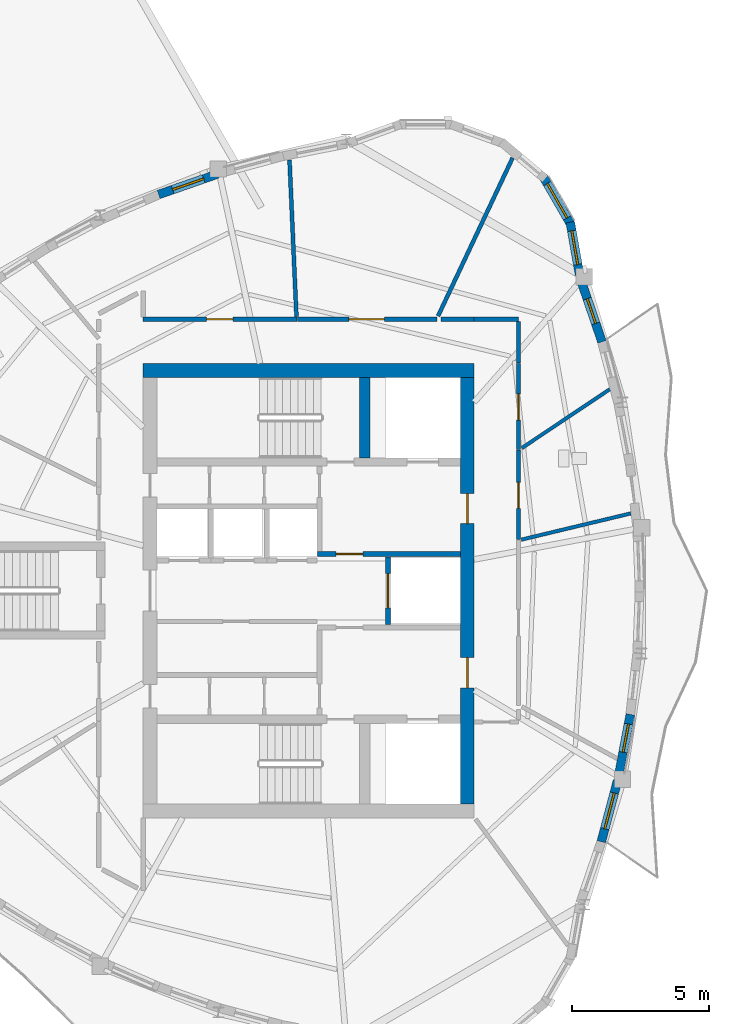
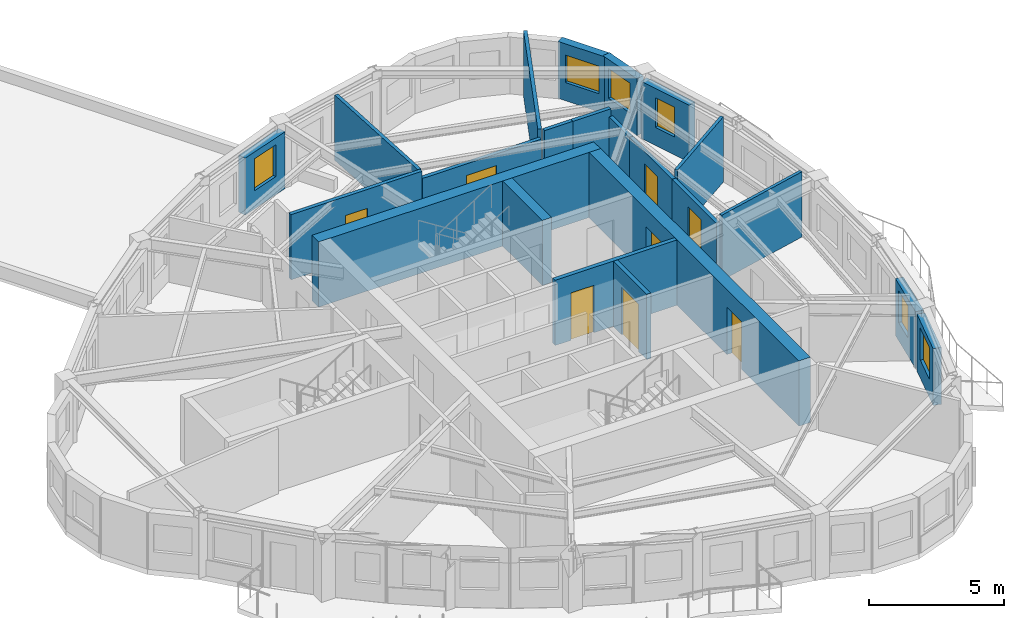
# One storey, part 6 of 11: 22 walls, 8 doors, 6 windows, 14 openings.
"""IFC4 building model written with IfcOpenShell, lengths in metres."""

import ifcopenshell
import ifcopenshell.guid

model = None  # the IFC model being written
_history = None  # IfcOwnerHistory: only IFC2X3 demands one
_inside = {}  # id of a spatial element -> (the spatial element, [elements in it])
_under = {}  # id of a project, library or spatial element -> (it, [spatial elements below it])
_declared = {}  # id of a project -> (the project, [libraries it declares])
_typed = {}  # id of a type object -> (the type object, [elements of that type])
_made_of = {}  # id of a material, layer set ... -> (it, [elements and type objects made of it])


def new_model(schema):
    """Start an empty IFC model of exactly this schema.

    Asked for "IFC4X3", IfcOpenShell would pick the latest addendum, in which some entities
    have other attributes; the version numbers below select the first issue.
    IFC2X3 requires an IfcOwnerHistory on every rooted entity: one is made here for all.
    """
    global model, _history
    if schema == "IFC4X3":
        model = ifcopenshell.file(schema_version=(4, 3, 0, 0))
    else:
        model = ifcopenshell.file(schema=schema)
    _inside.clear()
    _under.clear()
    _declared.clear()
    _typed.clear()
    _made_of.clear()
    _history = None
    if model.schema == "IFC2X3":
        org = make("IfcOrganization", Name="unknown")
        user = make(
            "IfcPersonAndOrganization",
            ThePerson=make("IfcPerson", FamilyName="unknown"),
            TheOrganization=org,
        )
        app = make(
            "IfcApplication",
            ApplicationDeveloper=org,
            Version="unknown",
            ApplicationFullName="unknown",
            ApplicationIdentifier="unknown",
        )
        _history = make(
            "IfcOwnerHistory",
            OwningUser=user,
            OwningApplication=app,
            ChangeAction="ADDED",
            CreationDate=0,
        )
    return model


def make(cls, **values):
    """One entity of the class cls with the attributes given. An attribute that is None is left unset."""
    return model.create_entity(
        cls, **{name: value for name, value in values.items() if value is not None}
    )


def rooted(cls, **values):
    """An entity with a GlobalId (a new one), such as an element, a storey or a relation."""
    return make(cls, GlobalId=ifcopenshell.guid.new(), OwnerHistory=_history, **values)


def si_unit(unit_type, name, prefix=None):
    """IfcSIUnit, for example si_unit("LENGTHUNIT", "METRE", prefix="MILLI")."""
    return make("IfcSIUnit", UnitType=unit_type, Prefix=prefix, Name=name)


def assignment(units):
    """IfcUnitAssignment: the units of a project."""
    return None if units is None else make("IfcUnitAssignment", Units=units)


def point(xyz):
    """IfcCartesianPoint."""
    return None if xyz is None else make("IfcCartesianPoint", Coordinates=xyz)


def direction(xyz):
    """IfcDirection."""
    return None if xyz is None else make("IfcDirection", DirectionRatios=xyz)


def frame(location, z_axis=None, x_axis=None):
    """IfcAxis2Placement3D, a coordinate frame: its origin and axes. An axis left out is left unset."""
    return make(
        "IfcAxis2Placement3D",
        Location=point(location),
        Axis=direction(z_axis),
        RefDirection=direction(x_axis),
    )


def frame_2d(location, x_axis=None):
    """IfcAxis2Placement2D, a coordinate frame in the plane: its origin and x axis."""
    return make(
        "IfcAxis2Placement2D", Location=point(location), RefDirection=direction(x_axis)
    )


def origin():
    """The frame at (0, 0, 0) with its axes left unset."""
    return frame((0.0, 0.0, 0.0))


def place(relative_to, where):
    """IfcLocalPlacement: puts the frame where relative to a parent placement (None: the world)."""
    return make(
        "IfcLocalPlacement", PlacementRelTo=relative_to, RelativePlacement=where
    )


def context(
    kind, dimensions, precision=None, world=None, true_north=None, identifier=None
):
    """IfcGeometricRepresentationContext, for example the 3D "Model" context."""
    return make(
        "IfcGeometricRepresentationContext",
        ContextIdentifier=identifier,
        ContextType=kind,
        CoordinateSpaceDimension=dimensions,
        Precision=precision,
        WorldCoordinateSystem=world,
        TrueNorth=true_north,
    )


def subcontext(parent, identifier, kind, view, scale=None):
    """IfcGeometricRepresentationSubContext, for example "Body" below "Model"."""
    return make(
        "IfcGeometricRepresentationSubContext",
        ContextIdentifier=identifier,
        ContextType=kind,
        ParentContext=parent,
        TargetScale=scale,
        TargetView=view,
    )


def project(units=None, contexts=None):
    """IfcProject with its units and contexts."""
    return rooted(
        "IfcProject",
        Name="project",
        RepresentationContexts=contexts,
        UnitsInContext=assignment(units),
    )


def spatial(cls, under=None, at=None, **own):
    """A site, building, storey or space (cls), placed at a placement, below another one or the project."""
    s = rooted(cls, ObjectPlacement=at, **own)
    if under is not None:
        _under.setdefault(under.id(), (under, []))[1].append(s)
    return s


def profile(cls, at=None, kind="AREA", **sizes):
    """A parametric profile (cls). Its sizes go by their IFC names, for example OverallWidth=200.0."""
    return make(cls, ProfileType=kind, Position=at, **sizes)


def rectangle(**sizes):
    """IfcRectangleProfileDef."""
    return profile("IfcRectangleProfileDef", **sizes)


def extrude(swept, where, along, depth):
    """IfcExtrudedAreaSolid: the profile swept, set in the frame where, extruded along a direction by depth."""
    return make(
        "IfcExtrudedAreaSolid",
        SweptArea=swept,
        Position=where,
        ExtrudedDirection=direction(along),
        Depth=depth,
    )


def shape(context_of_items, identifier, shape_type, items):
    """IfcShapeRepresentation: the items that make up one representation, for example the "Body"."""
    return make(
        "IfcShapeRepresentation",
        ContextOfItems=context_of_items,
        RepresentationIdentifier=identifier,
        RepresentationType=shape_type,
        Items=items,
    )


def source(mapping_origin, context_of_items, identifier, shape_type, items):
    """IfcRepresentationMap: a shape defined once, which mapped items show again and again."""
    return make(
        "IfcRepresentationMap",
        MappingOrigin=mapping_origin,
        MappedRepresentation=shape(context_of_items, identifier, shape_type, items),
    )


def transform(
    local_origin,
    x_axis=None,
    y_axis=None,
    z_axis=None,
    scale=None,
    scale2=None,
    scale3=None,
    uniform=True,
):
    """IfcCartesianTransformationOperator3D, or its non-uniform kind. x_axis, y_axis, z_axis: its Axis1, 2, 3."""
    if uniform:
        return make(
            "IfcCartesianTransformationOperator3D",
            Axis1=direction(x_axis),
            Axis2=direction(y_axis),
            LocalOrigin=point(local_origin),
            Scale=scale,
            Axis3=direction(z_axis),
        )
    return make(
        "IfcCartesianTransformationOperator3DnonUniform",
        Axis1=direction(x_axis),
        Axis2=direction(y_axis),
        LocalOrigin=point(local_origin),
        Scale=scale,
        Axis3=direction(z_axis),
        Scale2=scale2,
        Scale3=scale3,
    )


def mapped(mapping_source, mapping_target):
    """IfcMappedItem: shows the shape of a source again, moved by a transform."""
    return make(
        "IfcMappedItem", MappingSource=mapping_source, MappingTarget=mapping_target
    )


def material(Name=None, Category=None):
    """IfcMaterial."""
    return make("IfcMaterial", Name=Name, Category=Category)


def layer(
    of_material, thickness, ventilated=None, Name=None, Category=None, Priority=None
):
    """IfcMaterialLayer: one layer of a wall or slab, of a material (None: an air gap)."""
    return make(
        "IfcMaterialLayer",
        Material=of_material,
        LayerThickness=thickness,
        IsVentilated=ventilated,
        Name=Name,
        Category=Category,
        Priority=Priority,
    )


def layer_set(layers, Name=None):
    """IfcMaterialLayerSet."""
    return make("IfcMaterialLayerSet", MaterialLayers=layers, LayerSetName=Name)


def made_of(thing, what):
    """Note that an element or type object is made of a material, layer set ...; save() writes the relation."""
    if what is not None:
        _made_of.setdefault(what.id(), (what, []))[1].append(thing)
    return thing


def type_object(cls, material=None, **own):
    """A type object (cls), such as IfcWallType, which elements share."""
    return made_of(rooted(cls, **own), material)


def element(
    cls,
    number,
    at=None,
    inside=None,
    cuts=None,
    type_object=None,
    material=None,
    context=None,
    identifier="Body",
    shape_type=None,
    held_by="IfcProductDefinitionShape",
    body=None,
    shapes=None,
    **own,
):
    """One element of the class cls, such as IfcWall. Its Tag is "e" and its number.

    at: its placement. inside: the storey or other place that contains it. cuts: it is an
    opening in that element (IfcRelVoidsElement). A single representation is given by context,
    identifier, shape_type and body (its items); several are given by shapes. held_by: the class
    of the entity that holds the representations. save() writes the other relations.
    """
    e = rooted(cls, Tag="e%d" % number, ObjectPlacement=at, **own)
    if body is not None:
        shapes = [shape(context, identifier, shape_type, body)]
    if shapes is not None:
        e.Representation = make(held_by, Representations=shapes)
    if inside is not None:
        _inside.setdefault(inside.id(), (inside, []))[1].append(e)
    if cuts is not None:
        rooted(
            "IfcRelVoidsElement", RelatingBuildingElement=cuts, RelatedOpeningElement=e
        )
    if type_object is not None:
        _typed.setdefault(type_object.id(), (type_object, []))[1].append(e)
    return made_of(e, material)


def fill(opening, filler):
    """IfcRelFillsElement: the door or window that sits in an opening."""
    return rooted(
        "IfcRelFillsElement",
        RelatingOpeningElement=opening,
        RelatedBuildingElement=filler,
    )


def aggregate(whole, parts):
    """IfcRelAggregates: a whole, such as a stair, and the parts it consists of."""
    return rooted("IfcRelAggregates", RelatingObject=whole, RelatedObjects=parts)


def save(model, path):
    """Write the relations noted so far, then the file.

    IfcRelAggregates (storeys below a building ...), IfcRelContainedInSpatialStructure (elements
    in a storey), IfcRelDefinesByType, IfcRelAssociatesMaterial and IfcRelDeclares: one each for
    every whole, place, type object, material and project.
    """
    for whole, parts in _under.values():
        aggregate(whole, parts)
    for where, things in _inside.values():
        rooted(
            "IfcRelContainedInSpatialStructure",
            RelatedElements=things,
            RelatingStructure=where,
        )
    for kind, things in _typed.values():
        rooted("IfcRelDefinesByType", RelatedObjects=things, RelatingType=kind)
    for what, things in _made_of.values():
        rooted("IfcRelAssociatesMaterial", RelatedObjects=things, RelatingMaterial=what)
    for by, libraries in _declared.values():
        rooted("IfcRelDeclares", RelatingContext=by, RelatedDefinitions=libraries)
    model.write(path)


model = new_model("IFC4")

# Units and contexts
model_context = context("Model", 3, precision=1e-05, world=origin(), true_north=direction((0.0, 1.0)))
body_context = subcontext(model_context, "Body", "Model", "MODEL_VIEW")
ifc_project = project(units=[si_unit("LENGTHUNIT", "METRE"), si_unit("AREAUNIT", "SQUARE_METRE"), si_unit("VOLUMEUNIT", "CUBIC_METRE"), si_unit("PLANEANGLEUNIT", "RADIAN"), si_unit("MASSUNIT", "GRAM", prefix="KILO")], contexts=[model_context])

# Site, building, storey
site_placement = place(None, origin())
site = spatial("IfcSite", under=ifc_project, at=site_placement, CompositionType="ELEMENT")
building_placement = place(site_placement, origin())
building = spatial("IfcBuilding", under=site, at=building_placement, Name="Qafzar Sky-Pleat Residences", CompositionType="ELEMENT")
storey_placement = place(building_placement, frame((0.0, 0.0, 214.800048828125)))
storey = spatial("IfcBuildingStorey", under=building, at=storey_placement, Name="L64", CompositionType="ELEMENT", Elevation=214.800048828125)

# Wall, opening, door
ifc_material_1 = material(Name="Acoustic gypsum plasterboard partition", Category="gypsum")
ifc_layer_1 = layer(ifc_material_1, 0.159912109375)
ifc_layer_set_1 = layer_set([ifc_layer_1], Name="Acoustic gypsum plasterboard partition")
wall_type_1 = type_object("IfcWallType", Name="PART-COR-160", PredefinedType="PARTITIONING", material=ifc_layer_set_1)
wall_1_placement = place(storey_placement, frame((24.300048828125, 35.919921875, 0.0), z_axis=(0.0, 0.0, 1.0), x_axis=(1.0, 0.0, 0.0)))
wall_1 = element("IfcWall", 1, at=wall_1_placement, inside=storey, type_object=wall_type_1, Name="L64 Partition Wall PART-L64-PW-002", PredefinedType="PARTITIONING", context=body_context, shape_type="SweptSolid", body=[
    extrude(rectangle(XDim=5.623046875, YDim=0.159912109375, at=frame_2d((2.8115234375, 0.0))), origin(), (0.0, 0.0, 1.0), 2.9599609375),
])
opening_1_placement = place(wall_1_placement, frame((2.323974609375, 0.0, 0.0)))
opening_1 = element("IfcOpeningElement", 2, at=opening_1_placement, cuts=wall_1, Name="Opening ID-06", PredefinedType="OPENING", context=body_context, shape_type="SweptSolid", body=[
    extrude(rectangle(XDim=0.9599609375, YDim=2.10009765625, at=frame_2d((0.47998046875, 1.050048828125))), frame((0.0, 0.08984375, 0.0), z_axis=(0.0, -1.0, 0.0), x_axis=(1.0, 0.0, 0.0)), (0.0, 0.0, 1.0), 0.179931640625),
])
ifc_material_2 = material(Name="Timber-faced fire door", Category="wood")
door_type_1 = type_object("IfcDoorType", Name="DR-STD-960", OperationType="NOTDEFINED", PredefinedType="DOOR", material=ifc_material_2)
shared_shape_1 = source(origin(), body_context, "Body", "SweptSolid", [
    extrude(rectangle(XDim=0.9599609375, YDim=2.10009765625, at=frame_2d((0.47998046875, 1.050048828125))), frame((0.0, 0.02490234375, 0.0), z_axis=(0.0, -1.0, 0.0), x_axis=(1.0, 0.0, 0.0)), (0.0, 0.0, 1.0), 0.050048828125),
])
door_1_placement = place(opening_1_placement, origin())
door_1 = element("IfcDoor", 3, at=door_1_placement, inside=storey, type_object=door_type_1, Name="L64 Reading Library Door", OperationType="SINGLE_SWING_LEFT", OverallHeight=2.10009765625, OverallWidth=0.9599609375, PredefinedType="DOOR", context=body_context, shape_type="MappedRepresentation", body=[
    mapped(shared_shape_1, transform((0.0, 0.0, 0.0), x_axis=(1.0, 0.0, 0.0), y_axis=(0.0, 1.0, 0.0), z_axis=(0.0, 0.0, 1.0), scale=1.0)),
])
fill(opening_1, door_1)

wall_2_placement = place(storey_placement, frame((29.93798828125, 35.919921875, 0.0), z_axis=(0.0, 0.0, 1.0), x_axis=(1.0, 0.0, 0.0)))
wall_2 = element("IfcWall", 4, at=wall_2_placement, inside=storey, type_object=wall_type_1, Name="L64 Partition Wall PART-L64-PW-004", PredefinedType="PARTITIONING", context=body_context, shape_type="SweptSolid", body=[
    extrude(rectangle(XDim=5.10302734375, YDim=0.159912109375, at=frame_2d((2.551513671875, 0.0))), origin(), (0.0, 0.0, 1.0), 2.6279296875),
])
opening_2_placement = place(wall_2_placement, frame((1.8779296875, 0.0, 0.0)))
opening_2 = element("IfcOpeningElement", 5, at=opening_2_placement, cuts=wall_2, Name="Opening ID-05", PredefinedType="OPENING", context=body_context, shape_type="SweptSolid", body=[
    extrude(rectangle(XDim=1.300048828125, YDim=2.10009765625, at=frame_2d((0.64990234375, 1.050048828125))), frame((0.0, 0.08984375, 0.0), z_axis=(0.0, -1.0, 0.0), x_axis=(1.0, 0.0, 0.0)), (0.0, 0.0, 1.0), 0.179931640625),
])
door_type_2 = type_object("IfcDoorType", Name="DR-LNG-1300", OperationType="DOUBLE_DOOR_SINGLE_SWING", PredefinedType="DOOR", material=ifc_material_2)
shared_shape_2 = source(origin(), body_context, "Body", "SweptSolid", [
    extrude(rectangle(XDim=1.300048828125, YDim=2.10009765625, at=frame_2d((0.64990234375, 1.050048828125))), frame((0.0, 0.02490234375, 0.0), z_axis=(0.0, -1.0, 0.0), x_axis=(1.0, 0.0, 0.0)), (0.0, 0.0, 1.0), 0.050048828125),
])
door_2_placement = place(opening_2_placement, origin())
door_2 = element("IfcDoor", 6, at=door_2_placement, inside=storey, type_object=door_type_2, Name="L64 Graduate Lecture Room Door", OperationType="DOUBLE_DOOR_SINGLE_SWING", OverallHeight=2.10009765625, OverallWidth=1.300048828125, PredefinedType="DOOR", context=body_context, shape_type="MappedRepresentation", body=[
    mapped(shared_shape_2, transform((0.0, 0.0, 0.0), x_axis=(1.0, 0.0, 0.0), y_axis=(0.0, 1.0, 0.0), z_axis=(0.0, 0.0, 1.0), scale=1.0)),
])
fill(opening_2, door_2)

wall_3_placement = place(storey_placement, frame((38.02001953125, 31.14892578125, 0.0), z_axis=(0.0, 0.0, 1.0), x_axis=(0.0, -1.0, 0.0)))
wall_3 = element("IfcWall", 7, at=wall_3_placement, inside=storey, type_object=wall_type_1, Name="L64 Partition Wall PART-L64-PW-006", PredefinedType="PARTITIONING", context=body_context, shape_type="SweptSolid", body=[
    extrude(rectangle(XDim=3.27880859375, YDim=0.159912109375, at=frame_2d((1.639404296875, 0.0))), origin(), (0.0, 0.0, 1.0), 2.6279296875),
])
opening_3_placement = place(wall_3_placement, frame((1.1884765625, 0.0, 0.0)))
opening_3 = element("IfcOpeningElement", 8, at=opening_3_placement, cuts=wall_3, Name="Opening ID-08", PredefinedType="OPENING", context=body_context, shape_type="SweptSolid", body=[
    extrude(rectangle(XDim=0.949951171875, YDim=2.10009765625, at=frame_2d((0.47509765625, 1.050048828125))), frame((0.0, 0.08984375, 0.0), z_axis=(0.0, -1.0, 0.0), x_axis=(1.0, 0.0, 0.0)), (0.0, 0.0, 1.0), 0.179931640625),
])
door_type_3 = type_object("IfcDoorType", Name="DR-AWC-950", OperationType="NOTDEFINED", PredefinedType="DOOR", material=ifc_material_2)
shared_shape_3 = source(origin(), body_context, "Body", "SweptSolid", [
    extrude(rectangle(XDim=0.949951171875, YDim=2.10009765625, at=frame_2d((0.47509765625, 1.050048828125))), frame((0.0, 0.02490234375, 0.0), z_axis=(0.0, -1.0, 0.0), x_axis=(1.0, 0.0, 0.0)), (0.0, 0.0, 1.0), 0.050048828125),
])
door_3_placement = place(opening_3_placement, origin())
door_3 = element("IfcDoor", 9, at=door_3_placement, inside=storey, type_object=door_type_3, Name="L64 Accessible Shared Washroom Door", OperationType="SINGLE_SWING_LEFT", OverallHeight=2.10009765625, OverallWidth=0.949951171875, PredefinedType="DOOR", context=body_context, shape_type="MappedRepresentation", body=[
    mapped(shared_shape_3, transform((0.0, 0.0, 0.0), x_axis=(1.0, 0.0, 0.0), y_axis=(0.0, 1.0, 0.0), z_axis=(0.0, 0.0, 1.0), scale=1.0)),
])
fill(opening_3, door_3)

wall_4_placement = place(storey_placement, frame((38.02001953125, 31.1640625, 0.0), z_axis=(0.0, 0.0, 1.0), x_axis=(0.0, 1.0, 0.0)))
wall_4 = element("IfcWall", 10, at=wall_4_placement, inside=storey, type_object=wall_type_1, Name="L64 Partition Wall PART-L64-PW-007", PredefinedType="PARTITIONING", context=body_context, shape_type="SweptSolid", body=[
    extrude(rectangle(XDim=3.135986328125, YDim=0.159912109375, at=frame_2d((1.56787109375, 0.0))), origin(), (0.0, 0.0, 1.0), 2.6279296875),
])
opening_4_placement = place(wall_4_placement, frame((1.071533203125, 0.0, 0.0)))
opening_4 = element("IfcOpeningElement", 11, at=opening_4_placement, cuts=wall_4, Name="Opening ID-06", PredefinedType="OPENING", context=body_context, shape_type="SweptSolid", body=[
    extrude(rectangle(XDim=0.9599609375, YDim=2.10009765625, at=frame_2d((0.47998046875, 1.050048828125))), frame((0.0, 0.08984375, 0.0), z_axis=(0.0, -1.0, 0.0), x_axis=(1.0, 0.0, 0.0)), (0.0, 0.0, 1.0), 0.179931640625),
])
door_4_placement = place(opening_4_placement, origin())
door_4 = element("IfcDoor", 12, at=door_4_placement, inside=storey, type_object=door_type_1, Name="L64 Quiet Prayer Room Door", OperationType="SINGLE_SWING_RIGHT", OverallHeight=2.10009765625, OverallWidth=0.9599609375, PredefinedType="DOOR", context=body_context, shape_type="MappedRepresentation", body=[
    mapped(shared_shape_1, transform((0.0, 0.0, 0.0), x_axis=(1.0, 0.0, 0.0), y_axis=(0.0, 1.0, 0.0), z_axis=(0.0, 0.0, 1.0), scale=1.0)),
])
fill(opening_4, door_4)

# Walls
wall_5_placement = place(storey_placement, frame((36.39990234375, 35.919921875, 0.0), z_axis=(0.0, 0.0, 1.0), x_axis=(1.0, 0.0, 0.0)))
element("IfcWall", 13, at=wall_5_placement, inside=storey, type_object=wall_type_1, Name="L64 Partition Wall PART-L64-PW-022", PredefinedType="PARTITIONING", context=body_context, shape_type="SweptSolid", body=[
    extrude(rectangle(XDim=1.6201171875, YDim=0.159912109375, at=frame_2d((0.81005859375, 0.0))), origin(), (0.0, 0.0, 1.0), 2.9599609375),
])
wall_6_placement = place(storey_placement, frame((38.02001953125, 34.31494140625, 0.0), z_axis=(0.0, 0.0, 1.0), x_axis=(0.0, 1.0, 0.0)))
element("IfcWall", 14, at=wall_6_placement, inside=storey, type_object=wall_type_1, Name="L64 Partition Wall PART-L64-PW-023", PredefinedType="PARTITIONING", context=body_context, shape_type="SweptSolid", body=[
    extrude(rectangle(XDim=1.51708984375, YDim=0.159912109375, at=frame_2d((0.758544921875, 0.0))), origin(), (0.0, 0.0, 1.0), 2.6279296875),
])
wall_7_placement = place(storey_placement, frame((35.181884765625, 35.919921875, 0.0), z_axis=(0.0, 0.0, 1.0), x_axis=(1.0, 0.0, 0.0)))
element("IfcWall", 15, at=wall_7_placement, inside=storey, type_object=wall_type_1, Name="L64 Partition Wall PART-L64-PW-026", PredefinedType="PARTITIONING", context=body_context, shape_type="SweptSolid", body=[
    extrude(rectangle(XDim=1.203125, YDim=0.159912109375, at=frame_2d((0.6015625, 0.0))), origin(), (0.0, 0.0, 1.0), 2.9599609375),
])

# Wall, opening, door
ifc_material_3 = material(Name="Concrete blockwork partition", Category="masonry")
ifc_layer_2 = layer(ifc_material_3, 0.179931640625)
ifc_layer_set_2 = layer_set([ifc_layer_2], Name="Concrete blockwork partition")
wall_type_2 = type_object("IfcWallType", Name="PART-SHAFT-180", PredefinedType="PARTITIONING", material=ifc_layer_set_2)
wall_8_placement = place(storey_placement, frame((30.669921875, 27.340087890625, 0.0), z_axis=(0.0, 0.0, 1.0), x_axis=(1.0, 0.0, 0.0)))
wall_8 = element("IfcWall", 16, at=wall_8_placement, inside=storey, type_object=wall_type_2, Name="L64 Partition Wall PART-L64-FFL2-S", PredefinedType="PARTITIONING", context=body_context, shape_type="SweptSolid", body=[
    extrude(rectangle(XDim=5.219970703125, YDim=0.179931640625, at=frame_2d((2.60986328125, 0.0))), origin(), (0.0, 0.0, 1.0), 2.9599609375),
])
opening_5_placement = place(wall_8_placement, frame((0.679931640625, 0.0, 0.0)))
opening_5 = element("IfcOpeningElement", 17, at=opening_5_placement, cuts=wall_8, Name="Opening ID-01", PredefinedType="OPENING", context=body_context, shape_type="SweptSolid", body=[
    extrude(rectangle(XDim=0.97998046875, YDim=2.14990234375, at=frame_2d((0.489990234375, 1.074951171875))), frame((0.0, 0.10009765625, 0.0), z_axis=(0.0, -1.0, 0.0), x_axis=(1.0, 0.0, 0.0)), (0.0, 0.0, 1.0), 0.199951171875),
])
door_type_4 = type_object("IfcDoorType", Name="DR-STAIR-980", OperationType="NOTDEFINED", PredefinedType="DOOR", material=ifc_material_2)
shared_shape_4 = source(origin(), body_context, "Body", "SweptSolid", [
    extrude(rectangle(XDim=0.97998046875, YDim=2.14990234375, at=frame_2d((0.489990234375, 1.074951171875))), frame((0.0, 0.02490234375, 0.0), z_axis=(0.0, -1.0, 0.0), x_axis=(1.0, 0.0, 0.0)), (0.0, 0.0, 1.0), 0.050048828125),
])
door_5_placement = place(opening_5_placement, origin())
door_5 = element("IfcDoor", 18, at=door_5_placement, inside=storey, type_object=door_type_4, Name="L64 Lift Lobby to North Firefighting Lobby Door", OperationType="SINGLE_SWING_RIGHT", OverallHeight=2.14990234375, OverallWidth=0.97998046875, PredefinedType="DOOR", context=body_context, shape_type="MappedRepresentation", body=[
    mapped(shared_shape_4, transform((0.0, 0.0, 0.0), x_axis=(1.0, 0.0, 0.0), y_axis=(0.0, 1.0, 0.0), z_axis=(0.0, 0.0, 1.0), scale=1.0)),
])
fill(opening_5, door_5)

wall_9_placement = place(storey_placement, frame((33.25, 24.760009765625, 0.0), z_axis=(0.0, 0.0, 1.0), x_axis=(0.0, 1.0, 0.0)))
wall_9 = element("IfcWall", 19, at=wall_9_placement, inside=storey, type_object=wall_type_2, Name="L64 Partition Wall PART-L64-SV1-W", PredefinedType="PARTITIONING", context=body_context, shape_type="SweptSolid", body=[
    extrude(rectangle(XDim=2.47998046875, YDim=0.179931640625, at=frame_2d((1.239990234375, 0.0))), origin(), (0.0, 0.0, 1.0), 2.9599609375),
])
opening_6_placement = place(wall_9_placement, frame((0.614990234375, 0.0, 0.0)))
opening_6 = element("IfcOpeningElement", 20, at=opening_6_placement, cuts=wall_9, Name="Opening LD-03", PredefinedType="OPENING", context=body_context, shape_type="SweptSolid", body=[
    extrude(rectangle(XDim=1.25, YDim=2.14990234375, at=frame_2d((0.625, 1.074951171875))), frame((0.0, 0.10009765625, 0.0), z_axis=(0.0, -1.0, 0.0), x_axis=(1.0, 0.0, 0.0)), (0.0, 0.0, 1.0), 0.199951171875),
])
ifc_material_4 = material(Name="Stainless steel sliding landing door", Category="steel")
door_type_5 = type_object("IfcDoorType", Name="DR-LIFT-SV", OperationType="DOUBLE_DOOR_SLIDING", PredefinedType="DOOR", material=ifc_material_4)
shared_shape_5 = source(origin(), body_context, "Body", "SweptSolid", [
    extrude(rectangle(XDim=1.25, YDim=2.14990234375, at=frame_2d((0.625, 1.074951171875))), frame((0.0, 0.02490234375, 0.0), z_axis=(0.0, -1.0, 0.0), x_axis=(1.0, 0.0, 0.0)), (0.0, 0.0, 1.0), 0.050048828125),
])
door_6_placement = place(opening_6_placement, origin())
door_6 = element("IfcDoor", 21, at=door_6_placement, inside=storey, type_object=door_type_5, Name="L64 Service Lift SV1 Landing Door", OperationType="DOUBLE_DOOR_SLIDING", OverallHeight=2.14990234375, OverallWidth=1.25, PredefinedType="DOOR", context=body_context, shape_type="MappedRepresentation", body=[
    mapped(shared_shape_5, transform((0.0, 0.0, 0.0), x_axis=(1.0, 0.0, 0.0), y_axis=(0.0, 1.0, 0.0), z_axis=(0.0, 0.0, 1.0), scale=1.0)),
])
fill(opening_6, door_6)

# Walls
ifc_layer_3 = layer(ifc_material_1, 0.14501953125)
ifc_layer_set_3 = layer_set([ifc_layer_3], Name="Acoustic gypsum plasterboard partition")
wall_type_3 = type_object("IfcWallType", Name="PART-UNIT-145", PredefinedType="PARTITIONING", material=ifc_layer_set_3)
wall_10_placement = place(storey_placement, frame((35.07958984375, 36.0380859375, 0.0), z_axis=(0.0, 0.0, 1.0), x_axis=(0.426214985607, 0.904621902258, 0.0)))
element("IfcWall", 22, at=wall_10_placement, inside=storey, type_object=wall_type_3, Name="L64 Partition Wall PART-L64-PW-014", PredefinedType="PARTITIONING", context=body_context, shape_type="SweptSolid", body=[
    extrude(rectangle(XDim=6.385009765625, YDim=0.14501953125, at=frame_2d((3.1923828125, 0.0))), origin(), (0.0, 0.0, 1.0), 2.9599609375),
])
wall_11_placement = place(storey_placement, frame((29.6494140625, 41.74462890625, 0.0), z_axis=(0.0, 0.0, 1.0), x_axis=(0.044327022296, -0.999017074476, 0.0)))
element("IfcWall", 23, at=wall_11_placement, inside=storey, type_object=wall_type_3, Name="L64 Partition Wall PART-L64-PW-015", PredefinedType="PARTITIONING", context=body_context, shape_type="SweptSolid", body=[
    extrude(rectangle(XDim=5.739013671875, YDim=0.14501953125, at=frame_2d((2.86962890625, 0.0))), origin(), (0.0, 0.0, 1.0), 2.9599609375),
])
ifc_material_5 = material(Name="Moisture-resistant gypsum partition", Category="gypsum")
ifc_layer_4 = layer(ifc_material_5, 0.1298828125)
ifc_layer_set_4 = layer_set([ifc_layer_4], Name="Moisture-resistant gypsum partition")
wall_type_4 = type_object("IfcWallType", Name="PART-WET-130", PredefinedType="PARTITIONING", material=ifc_layer_set_4)
wall_12_placement = place(storey_placement, frame((38.122802734375, 27.86474609375, 0.0), z_axis=(0.0, 0.0, 1.0), x_axis=(0.972444961782, 0.233132572379, 0.0)))
element("IfcWall", 24, at=wall_12_placement, inside=storey, type_object=wall_type_4, Name="L64 Partition Wall PART-L64-PW-017", PredefinedType="PARTITIONING", context=body_context, shape_type="SweptSolid", body=[
    extrude(rectangle(XDim=4.1103515625, YDim=0.1298828125, at=frame_2d((2.05517578125, 0.0))), origin(), (0.0, 0.0, 1.0), 2.9599609375),
])
wall_13_placement = place(storey_placement, frame((38.142822265625, 31.213134765625, 0.0), z_axis=(0.0, 0.0, 1.0), x_axis=(0.831154063558, 0.556042195009, 0.0)))
element("IfcWall", 25, at=wall_13_placement, inside=storey, type_object=wall_type_4, Name="L64 Partition Wall PART-L64-PW-019", PredefinedType="PARTITIONING", context=body_context, shape_type="SweptSolid", body=[
    extrude(rectangle(XDim=3.8603515625, YDim=0.1298828125, at=frame_2d((1.93017578125, 0.0))), origin(), (0.0, 0.0, 1.0), 2.9599609375),
])

# Wall, opening, window
ifc_material_6 = material(Name="Precast concrete C40/50 with honed Riyadh limestone", Category="concrete")
ifc_layer_5 = layer(ifc_material_6, 0.320068359375)
ifc_layer_set_5 = layer_set([ifc_layer_5], Name="Precast concrete C40/50 with honed Riyadh limestone")
wall_type_5 = type_object("IfcWallType", Name="WALL-EXT-320", PredefinedType="SOLIDWALL", material=ifc_layer_set_5)
wall_14_placement = place(storey_placement, frame((41.04541015625, 16.824462890625, 0.0), z_axis=(0.0, 0.0, 1.0), x_axis=(0.257099982868, 0.966384808867, 0.0)))
wall_14 = element("IfcWall", 26, at=wall_14_placement, inside=storey, type_object=wall_type_5, Name="L64 Limestone Facade Wall 24", PredefinedType="SOLIDWALL", context=body_context, shape_type="SweptSolid", body=[
    extrude(rectangle(XDim=2.32275390625, YDim=0.320068359375, at=frame_2d((1.161376953125, 0.0))), origin(), (0.0, 0.0, 1.0), 2.579833984375),
])
opening_7_placement = place(wall_14_placement, frame((0.491455078125, 0.0, 0.820068359375)))
opening_7 = element("IfcOpeningElement", 27, at=opening_7_placement, cuts=wall_14, Name="Opening WN-04", PredefinedType="OPENING", context=body_context, shape_type="SweptSolid", body=[
    extrude(rectangle(XDim=1.35009765625, YDim=1.449951171875, at=frame_2d((0.675048828125, 0.72509765625))), frame((0.0, 0.169921875, 0.0), z_axis=(0.0, -1.0, 0.0), x_axis=(1.0, 0.0, 0.0)), (0.0, 0.0, 1.0), 0.340087890625),
])
ifc_material_7 = material(Name="Solar-control low-E glass in bronze aluminium frame", Category="glass")
window_type_1 = type_object("IfcWindowType", Name="WIN-04", PartitioningType="SINGLE_PANEL", PredefinedType="WINDOW", material=ifc_material_7)
shared_shape_6 = source(origin(), body_context, "Body", "SweptSolid", [
    extrude(rectangle(XDim=1.35009765625, YDim=1.449951171875, at=frame_2d((0.675048828125, 0.72509765625))), frame((0.0, 0.030029296875, 0.0), z_axis=(0.0, -1.0, 0.0), x_axis=(1.0, 0.0, 0.0)), (0.0, 0.0, 1.0), 0.06005859375),
])
window_1_placement = place(opening_7_placement, origin())
window_1 = element("IfcWindow", 28, at=window_1_placement, inside=storey, type_object=window_type_1, Name="L64 Punched Facade Window 24", OverallHeight=1.449951171875, OverallWidth=1.35009765625, PartitioningType="SINGLE_PANEL", PredefinedType="WINDOW", context=body_context, shape_type="MappedRepresentation", body=[
    mapped(shared_shape_6, transform((0.0, 0.0, 0.0), x_axis=(1.0, 0.0, 0.0), y_axis=(0.0, 1.0, 0.0), z_axis=(0.0, 0.0, 1.0), scale=1.0)),
])
fill(opening_7, window_1)

wall_15_placement = place(storey_placement, frame((41.679931640625, 19.2333984375, 0.0), z_axis=(0.0, 0.0, 1.0), x_axis=(0.186630727552, 0.982430135701, 0.0)))
wall_15 = element("IfcWall", 29, at=wall_15_placement, inside=storey, type_object=wall_type_5, Name="L64 Limestone Facade Wall 25", PredefinedType="SOLIDWALL", context=body_context, shape_type="SweptSolid", body=[
    extrude(rectangle(XDim=2.283935546875, YDim=0.320068359375, at=frame_2d((1.14208984375, 0.0))), origin(), (0.0, 0.0, 1.0), 2.579833984375),
])
opening_8_placement = place(wall_15_placement, frame((0.877685546875, 0.0, 0.820068359375)))
opening_8 = element("IfcOpeningElement", 30, at=opening_8_placement, cuts=wall_15, Name="Opening WN-06", PredefinedType="OPENING", context=body_context, shape_type="SweptSolid", body=[
    extrude(rectangle(XDim=1.050048828125, YDim=1.449951171875, at=frame_2d((0.52490234375, 0.72509765625))), frame((0.0, 0.169921875, 0.0), z_axis=(0.0, -1.0, 0.0), x_axis=(1.0, 0.0, 0.0)), (0.0, 0.0, 1.0), 0.340087890625),
])
window_type_2 = type_object("IfcWindowType", Name="WIN-06", PartitioningType="SINGLE_PANEL", PredefinedType="WINDOW", material=ifc_material_7)
shared_shape_7 = source(origin(), body_context, "Body", "SweptSolid", [
    extrude(rectangle(XDim=1.050048828125, YDim=1.449951171875, at=frame_2d((0.52490234375, 0.72509765625))), frame((0.0, 0.030029296875, 0.0), z_axis=(0.0, -1.0, 0.0), x_axis=(1.0, 0.0, 0.0)), (0.0, 0.0, 1.0), 0.06005859375),
])
window_2_placement = place(opening_8_placement, origin())
window_2 = element("IfcWindow", 31, at=window_2_placement, inside=storey, type_object=window_type_2, Name="L64 Punched Facade Window 25-2", OverallHeight=1.449951171875, OverallWidth=1.050048828125, PartitioningType="SINGLE_PANEL", PredefinedType="WINDOW", context=body_context, shape_type="MappedRepresentation", body=[
    mapped(shared_shape_7, transform((0.0, 0.0, 0.0), x_axis=(1.0, 0.0, 0.0), y_axis=(0.0, 1.0, 0.0), z_axis=(0.0, 0.0, 1.0), scale=1.0)),
])
fill(opening_8, window_2)

wall_16_placement = place(storey_placement, frame((41.07080078125, 35.09228515625, 0.0), z_axis=(0.0, 0.0, 1.0), x_axis=(-0.323624668926, 0.946185538709, 0.0)))
wall_16 = element("IfcWall", 32, at=wall_16_placement, inside=storey, type_object=wall_type_5, Name="L64 Limestone Facade Wall 32", PredefinedType="SOLIDWALL", context=body_context, shape_type="SweptSolid", body=[
    extrude(rectangle(XDim=2.373291015625, YDim=0.320068359375, at=frame_2d((1.1865234375, 0.0))), origin(), (0.0, 0.0, 1.0), 2.579833984375),
])
opening_9_placement = place(wall_16_placement, frame((0.716796875, 0.0, 0.820068359375)))
opening_9 = element("IfcOpeningElement", 33, at=opening_9_placement, cuts=wall_16, Name="Opening WN-12", PredefinedType="OPENING", context=body_context, shape_type="SweptSolid", body=[
    extrude(rectangle(XDim=0.949951171875, YDim=1.35009765625, at=frame_2d((0.47509765625, 0.675048828125))), frame((0.0, 0.169921875, 0.0), z_axis=(0.0, -1.0, 0.0), x_axis=(1.0, 0.0, 0.0)), (0.0, 0.0, 1.0), 0.340087890625),
])
window_type_3 = type_object("IfcWindowType", Name="WIN-12", PartitioningType="SINGLE_PANEL", PredefinedType="WINDOW", material=ifc_material_7)
shared_shape_8 = source(origin(), body_context, "Body", "SweptSolid", [
    extrude(rectangle(XDim=0.949951171875, YDim=1.35009765625, at=frame_2d((0.47509765625, 0.675048828125))), frame((0.0, 0.030029296875, 0.0), z_axis=(0.0, -1.0, 0.0), x_axis=(1.0, 0.0, 0.0)), (0.0, 0.0, 1.0), 0.06005859375),
])
window_3_placement = place(opening_9_placement, origin())
window_3 = element("IfcWindow", 34, at=window_3_placement, inside=storey, type_object=window_type_3, Name="L64 Punched Facade Window 32", OverallHeight=1.35009765625, OverallWidth=0.949951171875, PartitioningType="SINGLE_PANEL", PredefinedType="WINDOW", context=body_context, shape_type="MappedRepresentation", body=[
    mapped(shared_shape_8, transform((0.0, 0.0, 0.0), x_axis=(1.0, 0.0, 0.0), y_axis=(0.0, 1.0, 0.0), z_axis=(0.0, 0.0, 1.0), scale=1.0)),
])
fill(opening_9, window_3)

wall_17_placement = place(storey_placement, frame((40.251708984375, 37.53564453125, 0.0), z_axis=(0.0, 0.0, 1.0), x_axis=(-0.173671780312, 0.984803590937, 0.0)))
wall_17 = element("IfcWall", 35, at=wall_17_placement, inside=storey, type_object=wall_type_5, Name="L64 Limestone Facade Wall 33", PredefinedType="SOLIDWALL", context=body_context, shape_type="SweptSolid", body=[
    extrude(rectangle(XDim=1.96240234375, YDim=0.320068359375, at=frame_2d((0.981201171875, 0.0))), origin(), (0.0, 0.0, 1.0), 2.579833984375),
])
opening_10_placement = place(wall_17_placement, frame((0.39111328125, 0.0, 0.820068359375)))
opening_10 = element("IfcOpeningElement", 36, at=opening_10_placement, cuts=wall_17, Name="Opening WN-11", PredefinedType="OPENING", context=body_context, shape_type="SweptSolid", body=[
    extrude(rectangle(XDim=1.25, YDim=1.35009765625, at=frame_2d((0.625, 0.675048828125))), frame((0.0, 0.169921875, 0.0), z_axis=(0.0, -1.0, 0.0), x_axis=(1.0, 0.0, 0.0)), (0.0, 0.0, 1.0), 0.340087890625),
])
window_type_4 = type_object("IfcWindowType", Name="WIN-11", PartitioningType="SINGLE_PANEL", PredefinedType="WINDOW", material=ifc_material_7)
shared_shape_9 = source(origin(), body_context, "Body", "SweptSolid", [
    extrude(rectangle(XDim=1.25, YDim=1.35009765625, at=frame_2d((0.625, 0.675048828125))), frame((0.0, 0.030029296875, 0.0), z_axis=(0.0, -1.0, 0.0), x_axis=(1.0, 0.0, 0.0)), (0.0, 0.0, 1.0), 0.06005859375),
])
window_4_placement = place(opening_10_placement, origin())
window_4 = element("IfcWindow", 37, at=window_4_placement, inside=storey, type_object=window_type_4, Name="L64 Punched Facade Window 33", OverallHeight=1.35009765625, OverallWidth=1.25, PartitioningType="SINGLE_PANEL", PredefinedType="WINDOW", context=body_context, shape_type="MappedRepresentation", body=[
    mapped(shared_shape_9, transform((0.0, 0.0, 0.0), x_axis=(1.0, 0.0, 0.0), y_axis=(0.0, 1.0, 0.0), z_axis=(0.0, 0.0, 1.0), scale=1.0)),
])
fill(opening_10, window_4)

wall_18_placement = place(storey_placement, frame((39.95556640625, 39.345703125, 0.0), z_axis=(0.0, 0.0, 1.0), x_axis=(-0.499995423472, 0.866028046028, 0.0)))
wall_18 = element("IfcWall", 38, at=wall_18_placement, inside=storey, type_object=wall_type_5, Name="L64 Limestone Facade Wall 34", PredefinedType="SOLIDWALL", context=body_context, shape_type="SweptSolid", body=[
    extrude(rectangle(XDim=2.09033203125, YDim=0.320068359375, at=frame_2d((1.045166015625, 0.0))), origin(), (0.0, 0.0, 1.0), 2.579833984375),
])
opening_11_placement = place(wall_18_placement, frame((0.320068359375, 0.0, 0.820068359375)))
opening_11 = element("IfcOpeningElement", 39, at=opening_11_placement, cuts=wall_18, Name="Opening WN-15", PredefinedType="OPENING", context=body_context, shape_type="SweptSolid", body=[
    extrude(rectangle(XDim=1.449951171875, YDim=1.25, at=frame_2d((0.72509765625, 0.625))), frame((0.0, 0.169921875, 0.0), z_axis=(0.0, -1.0, 0.0), x_axis=(1.0, 0.0, 0.0)), (0.0, 0.0, 1.0), 0.340087890625),
])
window_type_5 = type_object("IfcWindowType", Name="WIN-15", PartitioningType="SINGLE_PANEL", PredefinedType="WINDOW", material=ifc_material_7)
shared_shape_10 = source(origin(), body_context, "Body", "SweptSolid", [
    extrude(rectangle(XDim=1.449951171875, YDim=1.25, at=frame_2d((0.72509765625, 0.625))), frame((0.0, 0.030029296875, 0.0), z_axis=(0.0, -1.0, 0.0), x_axis=(1.0, 0.0, 0.0)), (0.0, 0.0, 1.0), 0.06005859375),
])
window_5_placement = place(opening_11_placement, origin())
window_5 = element("IfcWindow", 40, at=window_5_placement, inside=storey, type_object=window_type_5, Name="L64 Punched Facade Window 34", OverallHeight=1.25, OverallWidth=1.449951171875, PartitioningType="SINGLE_PANEL", PredefinedType="WINDOW", context=body_context, shape_type="MappedRepresentation", body=[
    mapped(shared_shape_10, transform((0.0, 0.0, 0.0), x_axis=(1.0, 0.0, 0.0), y_axis=(0.0, 1.0, 0.0), z_axis=(0.0, 0.0, 1.0), scale=1.0)),
])
fill(opening_11, window_5)

wall_19_placement = place(storey_placement, frame((27.02001953125, 41.23046875, 0.0), z_axis=(0.0, 0.0, 1.0), x_axis=(-0.944142960918, -0.329536142705, 0.0)))
wall_19 = element("IfcWall", 41, at=wall_19_placement, inside=storey, type_object=wall_type_5, Name="L64 Limestone Facade Wall 41", PredefinedType="SOLIDWALL", context=body_context, shape_type="SweptSolid", body=[
    extrude(rectangle(XDim=2.2841796875, YDim=0.320068359375, at=frame_2d((1.14208984375, 0.0))), origin(), (0.0, 0.0, 1.0), 2.579833984375),
])
opening_12_placement = place(wall_19_placement, frame((0.537109375, 0.0, 0.820068359375)))
opening_12 = element("IfcOpeningElement", 42, at=opening_12_placement, cuts=wall_19, Name="Opening WN-05", PredefinedType="OPENING", context=body_context, shape_type="SweptSolid", body=[
    extrude(rectangle(XDim=1.199951171875, YDim=1.449951171875, at=frame_2d((0.60009765625, 0.72509765625))), frame((0.0, 0.169921875, 0.0), z_axis=(0.0, -1.0, 0.0), x_axis=(1.0, 0.0, 0.0)), (0.0, 0.0, 1.0), 0.340087890625),
])
window_type_6 = type_object("IfcWindowType", Name="WIN-05", PartitioningType="SINGLE_PANEL", PredefinedType="WINDOW", material=ifc_material_7)
shared_shape_11 = source(origin(), body_context, "Body", "SweptSolid", [
    extrude(rectangle(XDim=1.199951171875, YDim=1.449951171875, at=frame_2d((0.60009765625, 0.72509765625))), frame((0.0, 0.030029296875, 0.0), z_axis=(0.0, -1.0, 0.0), x_axis=(1.0, 0.0, 0.0)), (0.0, 0.0, 1.0), 0.06005859375),
])
window_6_placement = place(opening_12_placement, origin())
window_6 = element("IfcWindow", 43, at=window_6_placement, inside=storey, type_object=window_type_6, Name="L64 Punched Facade Window 41", OverallHeight=1.449951171875, OverallWidth=1.199951171875, PartitioningType="SINGLE_PANEL", PredefinedType="WINDOW", context=body_context, shape_type="MappedRepresentation", body=[
    mapped(shared_shape_11, transform((0.0, 0.0, 0.0), x_axis=(1.0, 0.0, 0.0), y_axis=(0.0, 1.0, 0.0), z_axis=(0.0, 0.0, 1.0), scale=1.0)),
])
fill(opening_12, window_6)

# Walls
ifc_material_8 = material(Name="Concrete C60/75", Category="concrete")
ifc_layer_6 = layer(ifc_material_8, 0.39990234375)
ifc_layer_set_6 = layer_set([ifc_layer_6], Name="Concrete C60/75")
wall_type_6 = type_object("IfcWallType", Name="WALL-SHEAR-400", PredefinedType="SHEAR", material=ifc_layer_set_6)
wall_20_placement = place(storey_placement, frame((32.39990234375, 30.85009765625, 0.0), z_axis=(0.0, 0.0, 1.0), x_axis=(0.0, 1.0, 0.0)))
element("IfcWall", 44, at=wall_20_placement, inside=storey, type_object=wall_type_6, Name="L64 Stair ST2 East Dividing Wall", PredefinedType="SHEAR", context=body_context, shape_type="SweptSolid", body=[
    extrude(rectangle(XDim=2.949951171875, YDim=0.39990234375, at=frame_2d((1.47509765625, 0.0))), origin(), (0.0, 0.0, 1.0), 2.9599609375),
])
ifc_layer_7 = layer(ifc_material_8, 0.5)
ifc_layer_set_7 = layer_set([ifc_layer_7], Name="Concrete C60/75")
wall_type_7 = type_object("IfcWallType", Name="WALL-SHEAR-500", PredefinedType="SHEAR", material=ifc_layer_set_7)
wall_21_placement = place(storey_placement, frame((36.39990234375, 34.050048828125, 0.0), z_axis=(0.0, 0.0, 1.0), x_axis=(-1.0, 0.0, 0.0)))
element("IfcWall", 45, at=wall_21_placement, inside=storey, type_object=wall_type_7, Name="L64 CORE wall N", PredefinedType="SHEAR", context=body_context, shape_type="SweptSolid", body=[
    extrude(rectangle(XDim=12.099853515625, YDim=0.5, at=frame_2d((6.0498046875, 0.0))), origin(), (0.0, 0.0, 1.0), 2.9599609375),
])

# Wall, openings, doors
wall_22_placement = place(storey_placement, frame((36.14990234375, 18.199951171875, 0.0), z_axis=(0.0, 0.0, 1.0), x_axis=(0.0, 1.0, 0.0)))
wall_22 = element("IfcWall", 46, at=wall_22_placement, inside=storey, type_object=wall_type_7, Name="L64 CORE wall E", PredefinedType="SHEAR", context=body_context, shape_type="SweptSolid", body=[
    extrude(rectangle(XDim=15.60009765625, YDim=0.5, at=frame_2d((7.800048828125, 0.0))), origin(), (0.0, 0.0, 1.0), 2.9599609375),
])
opening_13_placement = place(wall_22_placement, frame((4.25, 0.0, 0.0)))
opening_13 = element("IfcOpeningElement", 47, at=opening_13_placement, cuts=wall_22, Name="Opening ID-02", PredefinedType="OPENING", context=body_context, shape_type="SweptSolid", body=[
    extrude(rectangle(XDim=1.10009765625, YDim=2.14990234375, at=frame_2d((0.550048828125, 1.074951171875))), frame((0.0, 0.260009765625, 0.0), z_axis=(0.0, -1.0, 0.0), x_axis=(1.0, 0.0, 0.0)), (0.0, 0.0, 1.0), 0.52001953125),
])
opening_14_placement = place(wall_22_placement, frame((10.25, 0.0, 0.0)))
opening_14 = element("IfcOpeningElement", 48, at=opening_14_placement, cuts=wall_22, Name="Opening ID-02", PredefinedType="OPENING", context=body_context, shape_type="SweptSolid", body=[
    extrude(rectangle(XDim=1.10009765625, YDim=2.14990234375, at=frame_2d((0.550048828125, 1.074951171875))), frame((0.0, 0.260009765625, 0.0), z_axis=(0.0, -1.0, 0.0), x_axis=(1.0, 0.0, 0.0)), (0.0, 0.0, 1.0), 0.52001953125),
])
door_type_6 = type_object("IfcDoorType", Name="DR-FFL-1100", OperationType="NOTDEFINED", PredefinedType="DOOR", material=ifc_material_2)
shared_shape_12 = source(origin(), body_context, "Body", "SweptSolid", [
    extrude(rectangle(XDim=1.10009765625, YDim=2.14990234375, at=frame_2d((0.550048828125, 1.074951171875))), frame((0.0, 0.02490234375, 0.0), z_axis=(0.0, -1.0, 0.0), x_axis=(1.0, 0.0, 0.0)), (0.0, 0.0, 1.0), 0.050048828125),
])
door_7_placement = place(opening_13_placement, origin())
door_7 = element("IfcDoor", 49, at=door_7_placement, inside=storey, type_object=door_type_6, Name="L64 Firefighting Lobby South Corridor Door", OperationType="SINGLE_SWING_LEFT", OverallHeight=2.14990234375, OverallWidth=1.10009765625, PredefinedType="DOOR", context=body_context, shape_type="MappedRepresentation", body=[
    mapped(shared_shape_12, transform((0.0, 0.0, 0.0), x_axis=(1.0, 0.0, 0.0), y_axis=(0.0, 1.0, 0.0), z_axis=(0.0, 0.0, 1.0), scale=1.0)),
])
fill(opening_13, door_7)
door_8_placement = place(opening_14_placement, origin())
door_8 = element("IfcDoor", 50, at=door_8_placement, inside=storey, type_object=door_type_6, Name="L64 Firefighting Lobby North Corridor Door", OperationType="SINGLE_SWING_RIGHT", OverallHeight=2.14990234375, OverallWidth=1.10009765625, PredefinedType="DOOR", context=body_context, shape_type="MappedRepresentation", body=[
    mapped(shared_shape_12, transform((0.0, 0.0, 0.0), x_axis=(1.0, 0.0, 0.0), y_axis=(0.0, 1.0, 0.0), z_axis=(0.0, 0.0, 1.0), scale=1.0)),
])
fill(opening_14, door_8)

save(model, "model.ifc")
